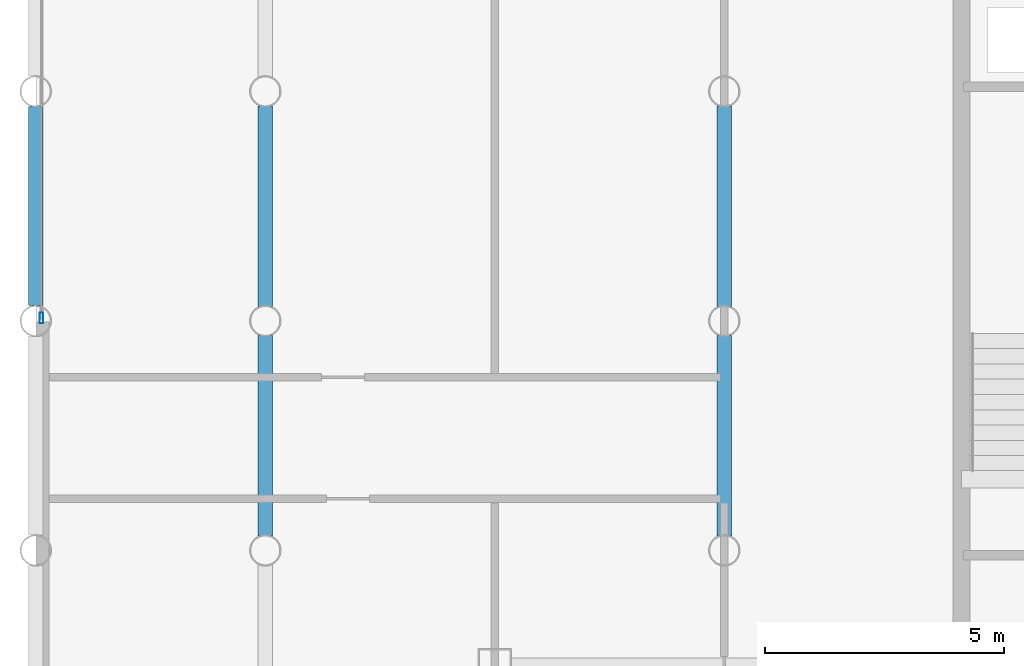
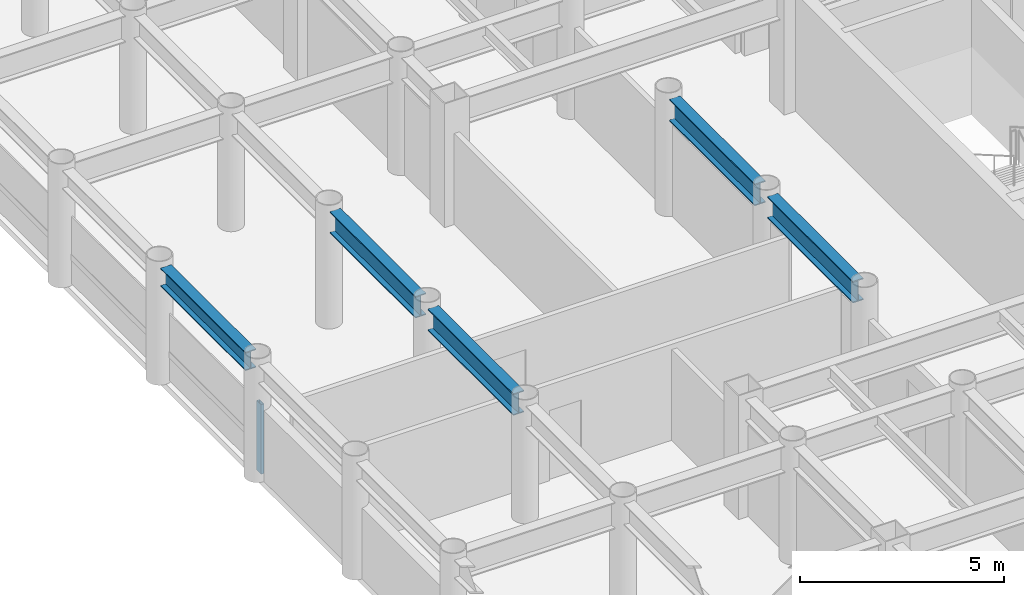
# One storey, part 4 of 20: 5 beams, 1 member, 1 element without a shape of its own.
"""IFC4 building model written with IfcOpenShell, lengths in metres."""

from ifc_helpers import new_model, si_unit, direction, frame, origin, origin_2d, place, context, subcontext, project, spatial, hollow_rectangle, i_section, extrude, material, layer, layer_set, material_profile, profile_set, type_object, element, aggregate, save


model = new_model("IFC4")

# Units and contexts
model_context = context("Model", 3, precision=1e-05, world=origin(), true_north=direction((0.0, 1.0)))
body_context = subcontext(model_context, "Body", "Model", "MODEL_VIEW")
ifc_project = project(units=[si_unit("LENGTHUNIT", "METRE"), si_unit("AREAUNIT", "SQUARE_METRE"), si_unit("VOLUMEUNIT", "CUBIC_METRE"), si_unit("PLANEANGLEUNIT", "RADIAN"), si_unit("MASSUNIT", "GRAM", prefix="KILO")], contexts=[model_context])

# Site, building, storey
site_placement = place(None, origin())
site = spatial("IfcSite", under=ifc_project, at=site_placement, CompositionType="ELEMENT")
building_placement = place(site_placement, origin())
building = spatial("IfcBuilding", under=site, at=building_placement, Name="Kallvorn Hotel Tower", CompositionType="ELEMENT")
storey_placement = place(building_placement, frame((0.0, 0.0, 132.199951171875)))
storey = spatial("IfcBuildingStorey", under=building, at=storey_placement, Name="L32", CompositionType="ELEMENT", Elevation=132.199951171875)

# Beams
ifc_material_1 = material(Name="Structural steel S355JR", Category="steel")
ifc_material_profile_1 = material_profile(ifc_material_1, i_section(OverallWidth=0.300048828125, OverallDepth=0.550048828125, WebThickness=0.014892578125, FlangeThickness=0.029052734375, at=origin_2d()), Name="HE 550 B")
ifc_profile_set_1 = profile_set([ifc_material_profile_1], Name="Structural steel S355JR")
beam_type_1 = type_object("IfcBeamType", Name="BM_HE550B", PredefinedType="SPANDREL", material=ifc_profile_set_1)
beam_placement = place(storey_placement, frame((-33.60009765625, 0.320068359375, 3.2451171875), z_axis=(0.0, 1.0, 0.0), x_axis=(-1.0, 0.0, 0.0)))
element("IfcBeam", 1, at=beam_placement, inside=storey, type_object=beam_type_1, Name="L33 Perimeter Spandrel 177", PredefinedType="SPANDREL", context=body_context, shape_type="SweptSolid", body=[
    extrude(i_section(OverallWidth=0.300048828125, OverallDepth=0.550048828125, WebThickness=0.014892578125, FlangeThickness=0.029052734375, at=origin_2d()), origin(), (0.0, 0.0, 1.0), 4.159912109375),
])
ifc_material_2 = material(Name="Structural steel S355JR", Category="steel")
ifc_material_profile_2 = material_profile(ifc_material_2, i_section(OverallWidth=0.300048828125, OverallDepth=0.64990234375, WebThickness=0.01611328125, FlangeThickness=0.031005859375, at=origin_2d()), Name="HE 650 B")
ifc_profile_set_2 = profile_set([ifc_material_profile_2], Name="Structural steel S355JR")
beam_type_2 = type_object("IfcBeamType", Name="BM_HE650B", PredefinedType="BEAM", material=ifc_profile_set_2)
for number, where, z_axis, x_axis, name in (
    (2, (-28.800048828125, -4.4951171875, 3.195068359375), (0.0, 1.0, 0.0), (-1.0, 0.0, 0.0), "L33 Primary Y-Girder 76"),
    (3, (-28.800048828125, 0.304931640625, 3.195068359375), (0.0, 1.0, 0.0), (-1.0, 0.0, 0.0), "L33 Primary Y-Girder 77"),
    (4, (-19.199951171875, -4.4951171875, 3.195068359375), (0.0, 1.0, 0.0), (-1.0, 0.0, 0.0), "L33 Primary Y-Girder 92"),
    (5, (-19.199951171875, 0.304931640625, 3.195068359375), (0.0, 1.0, 0.0), (-1.0, 0.0, 0.0), "L33 Primary Y-Girder 93"),
):
    element("IfcBeam", number, at=place(storey_placement, frame(where, z_axis=z_axis, x_axis=x_axis)), inside=storey, type_object=beam_type_2, Name=name, PredefinedType="BEAM", context=body_context, shape_type="SweptSolid", body=[
        extrude(i_section(OverallWidth=0.300048828125, OverallDepth=0.64990234375, WebThickness=0.01611328125, FlangeThickness=0.031005859375, at=origin_2d()), origin(), (0.0, 0.0, 1.0), 4.190185546875),
    ])

# Curtain wall, member
ifc_material_3 = material(Name="Thermally broken black-anodised aluminium AA 6063-T6", Category="aluminium")
ifc_layer = layer(ifc_material_3, 0.2099609375)
ifc_layer_set = layer_set([ifc_layer], Name="CW_SYS_4_HOTEL_MID")
curtain_wall_type = type_object("IfcCurtainWallType", Name="CW_SYS_4_HOTEL_MID", PredefinedType="USERDEFINED", material=ifc_layer_set)
curtain_wall_placement = place(storey_placement, origin())
curtain_wall = element("IfcCurtainWall", 6, at=curtain_wall_placement, inside=storey, type_object=curtain_wall_type, Name="L32 Dark-Glass Curtain Wall CW-L32-WN", ObjectType="UNITISED CURTAIN WALL", PredefinedType="USERDEFINED")
ifc_material_4 = material(Name="Thermally broken black-anodised aluminium AA 6063-T6", Category="aluminium")
ifc_material_profile_3 = material_profile(ifc_material_4, hollow_rectangle(XDim=0.080078125, YDim=0.219970703125, WallThickness=0.0048828125, at=origin_2d()), Name="MUL 220x80")
ifc_profile_set_3 = profile_set([ifc_material_profile_3], Name="Thermally broken black-anodised aluminium AA 6063-T6")
member_type = type_object("IfcMemberType", Name="CW_MULLION_220x80", PredefinedType="MULLION", material=ifc_profile_set_3)
member_placement = place(storey_placement, frame((-33.47998046875, 0.06005859375, 0.02001953125), z_axis=(0.0, 0.0, 1.0), x_axis=(1.0, 0.0, 0.0)))
member = element("IfcMember", 7, at=member_placement, type_object=member_type, Name="CW-L32-WN Mullion 00", PredefinedType="MULLION", context=body_context, shape_type="SweptSolid", body=[
    extrude(hollow_rectangle(XDim=0.080078125, YDim=0.219970703125, WallThickness=0.0048828125, at=origin_2d()), origin(), (0.0, 0.0, 1.0), 2.080078125),
])
aggregate(curtain_wall, [member])

save(model, "model.ifc")
